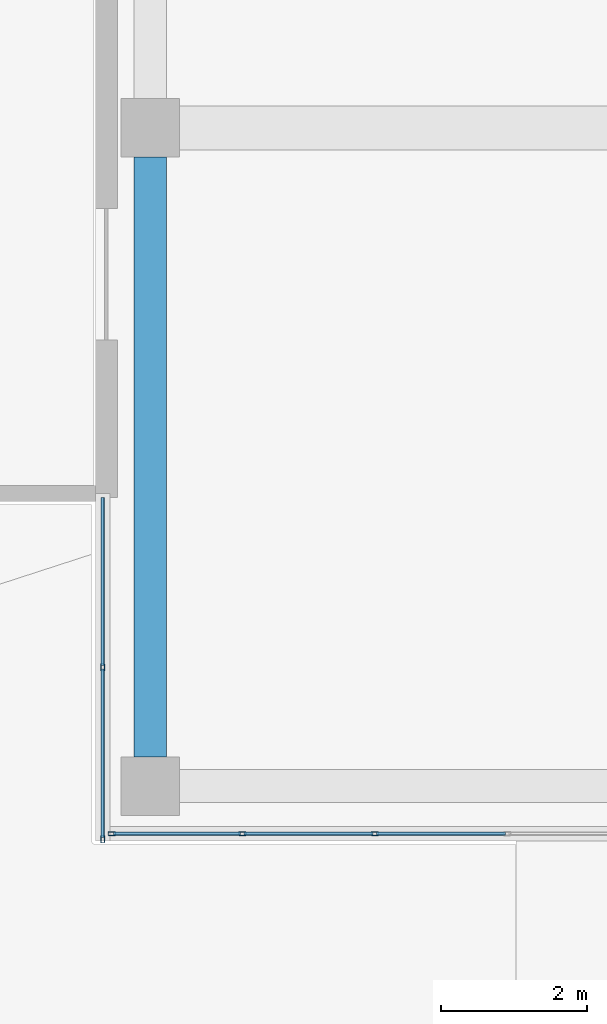
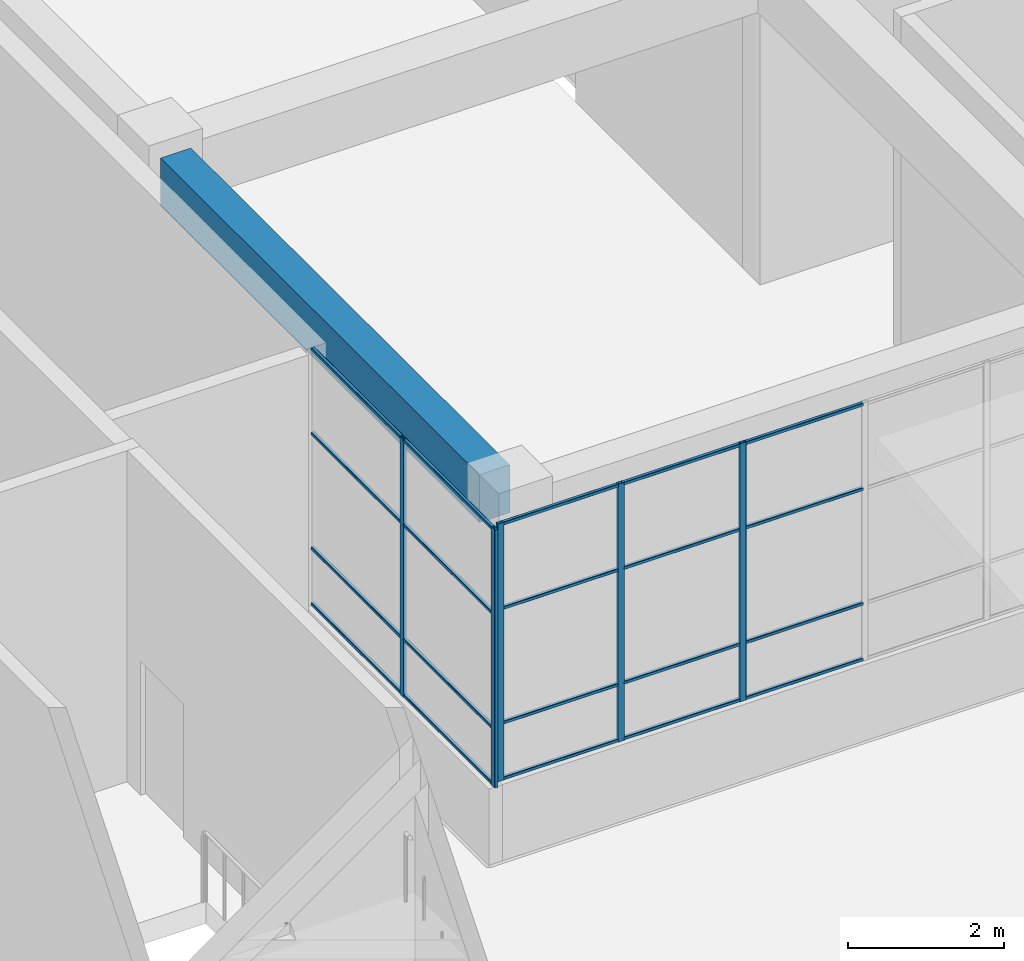
# One storey, part 16 of 72: 25 members, 1 beam, 2 elements without a shape of their own.
"""IFC4 building model written with IfcOpenShell, lengths in metres."""

from ifc_helpers import new_model, si_unit, direction, frame, origin, origin_2d, place, context, subcontext, project, spatial, rectangle, hollow_rectangle, extrude, material, layer, layer_set, material_profile, profile_set, type_object, element, aggregate, save


model = new_model("IFC4")

# Units and contexts
model_context = context("Model", 3, precision=1e-05, world=origin(), true_north=direction((0.0, 1.0)))
body_context = subcontext(model_context, "Body", "Model", "MODEL_VIEW")
ifc_project = project(units=[si_unit("LENGTHUNIT", "METRE"), si_unit("AREAUNIT", "SQUARE_METRE"), si_unit("VOLUMEUNIT", "CUBIC_METRE"), si_unit("PLANEANGLEUNIT", "RADIAN"), si_unit("MASSUNIT", "GRAM", prefix="KILO")], contexts=[model_context])

# Site, building, storey
site_placement = place(None, origin())
site = spatial("IfcSite", under=ifc_project, at=site_placement, CompositionType="ELEMENT")
building_placement = place(site_placement, origin())
building = spatial("IfcBuilding", under=site, at=building_placement, Name="Tuart Plaza Theatre", CompositionType="ELEMENT")
storey_placement = place(building_placement, origin())
storey = spatial("IfcBuildingStorey", under=building, at=storey_placement, Name="L00", CompositionType="ELEMENT", Elevation=0.0)

# Beam
ifc_material_1 = material(Name="Concrete N40 (40 MPa)", Category="concrete")
ifc_material_profile_1 = material_profile(ifc_material_1, rectangle(XDim=0.449951171875, YDim=0.75, at=origin_2d()), Name="BEAM 450x750 Concrete N40 (40 MPa)")
ifc_profile_set_1 = profile_set([ifc_material_profile_1], Name="Concrete N40 (40 MPa)")
beam_type = type_object("IfcBeamType", Name="BEAM 450x750 Concrete N40 (40 MPa)", PredefinedType="BEAM", material=ifc_profile_set_1)
beam_placement = place(storey_placement, frame((114.0, 56.39990234375, 4.875), z_axis=(0.0, 1.0, 0.0), x_axis=(-1.0, 0.0, 0.0)))
element("IfcBeam", 1, at=beam_placement, inside=storey, type_object=beam_type, Name="RB122", PredefinedType="BEAM", context=body_context, shape_type="SweptSolid", body=[
    extrude(rectangle(XDim=0.449951171875, YDim=0.75, at=origin_2d()), origin(), (0.0, 0.0, 1.0), 8.2001953125),
])

# Curtain wall, members
ifc_material_2 = material(Name="Aluminium and glass", Category="aluminium")
ifc_layer_1 = layer(ifc_material_2, 0.10009765625)
ifc_layer_set_1 = layer_set([ifc_layer_1], Name="CURTAIN WALL 2000 module")
curtain_wall_type_1 = type_object("IfcCurtainWallType", Name="CURTAIN WALL 2000 module", PredefinedType="NOTDEFINED", material=ifc_layer_set_1)
curtain_wall_1_placement = place(storey_placement, origin())
curtain_wall_1 = element("IfcCurtainWall", 2, at=curtain_wall_1_placement, inside=storey, type_object=curtain_wall_type_1, Name="CW59", PredefinedType="NOTDEFINED")
ifc_material_3 = material(Name="Aluminium 6063-T5", Category="aluminium")
ifc_material_profile_2 = material_profile(ifc_material_3, hollow_rectangle(XDim=0.050048828125, YDim=0.10009765625, WallThickness=0.00390625, InnerFilletRadius=0.00390625, OuterFilletRadius=0.008056640625, at=origin_2d()), Name="RHS 100x50x4")
ifc_profile_set_2 = profile_set([ifc_material_profile_2], Name="Aluminium 6063-T5")
member_type_1 = type_object("IfcMemberType", Name="MULLION RHS 100x50x4", PredefinedType="MULLION", material=ifc_profile_set_2)
member_1_placement = place(storey_placement, frame((113.35009765625, 57.625, 1.199951171875), z_axis=(0.0, 0.0, 1.0), x_axis=(1.0, 0.0, 0.0)))
member_1 = element("IfcMember", 3, at=member_1_placement, type_object=member_type_1, Name="CW59 mullion 2", PredefinedType="MULLION", context=body_context, shape_type="SweptSolid", body=[
    extrude(hollow_rectangle(XDim=0.050048828125, YDim=0.10009765625, WallThickness=0.00390625, InnerFilletRadius=0.00390625, OuterFilletRadius=0.008056640625, at=origin_2d()), origin(), (0.0, 0.0, 1.0), 4.050048828125),
])
member_2_placement = place(storey_placement, frame((113.35009765625, 55.27490234375, 1.199951171875), z_axis=(0.0, 0.0, 1.0), x_axis=(1.0, 0.0, 0.0)))
member_2 = element("IfcMember", 4, at=member_2_placement, type_object=member_type_1, Name="CW59 mullion 3", PredefinedType="MULLION", context=body_context, shape_type="SweptSolid", body=[
    extrude(hollow_rectangle(XDim=0.050048828125, YDim=0.10009765625, WallThickness=0.00390625, InnerFilletRadius=0.00390625, OuterFilletRadius=0.008056640625, at=origin_2d()), origin(), (0.0, 0.0, 1.0), 4.050048828125),
])

ifc_material_4 = material(Name="Aluminium and glass", Category="aluminium")
ifc_layer_2 = layer(ifc_material_4, 0.10009765625)
ifc_layer_set_2 = layer_set([ifc_layer_2], Name="CURTAIN WALL 1800 module")
curtain_wall_type_2 = type_object("IfcCurtainWallType", Name="CURTAIN WALL 1800 module", PredefinedType="NOTDEFINED", material=ifc_layer_set_2)
curtain_wall_2_placement = place(storey_placement, origin())
curtain_wall_2 = element("IfcCurtainWall", 5, at=curtain_wall_2_placement, inside=storey, type_object=curtain_wall_type_2, Name="CW60", PredefinedType="NOTDEFINED")
member_3_placement = place(storey_placement, frame((113.47509765625, 55.35009765625, 1.199951171875), z_axis=(0.0, 0.0, 1.0), x_axis=(0.0, 1.0, 0.0)))
member_3 = element("IfcMember", 6, at=member_3_placement, type_object=member_type_1, Name="CW60 mullion 1", PredefinedType="MULLION", context=body_context, shape_type="SweptSolid", body=[
    extrude(hollow_rectangle(XDim=0.050048828125, YDim=0.10009765625, WallThickness=0.00390625, InnerFilletRadius=0.00390625, OuterFilletRadius=0.008056640625, at=origin_2d()), origin(), (0.0, 0.0, 1.0), 4.050048828125),
])
member_4_placement = place(storey_placement, frame((115.260009765625, 55.35009765625, 1.199951171875), z_axis=(0.0, 0.0, 1.0), x_axis=(0.0, 1.0, 0.0)))
member_4 = element("IfcMember", 7, at=member_4_placement, type_object=member_type_1, Name="CW60 mullion 2", PredefinedType="MULLION", context=body_context, shape_type="SweptSolid", body=[
    extrude(hollow_rectangle(XDim=0.050048828125, YDim=0.10009765625, WallThickness=0.00390625, InnerFilletRadius=0.00390625, OuterFilletRadius=0.008056640625, at=origin_2d()), origin(), (0.0, 0.0, 1.0), 4.050048828125),
])
member_5_placement = place(storey_placement, frame((117.070068359375, 55.35009765625, 1.199951171875), z_axis=(0.0, 0.0, 1.0), x_axis=(0.0, 1.0, 0.0)))
member_5 = element("IfcMember", 8, at=member_5_placement, type_object=member_type_1, Name="CW60 mullion 3", PredefinedType="MULLION", context=body_context, shape_type="SweptSolid", body=[
    extrude(hollow_rectangle(XDim=0.050048828125, YDim=0.10009765625, WallThickness=0.00390625, InnerFilletRadius=0.00390625, OuterFilletRadius=0.008056640625, at=origin_2d()), origin(), (0.0, 0.0, 1.0), 4.050048828125),
])

# Member
ifc_material_5 = material(Name="Aluminium 6063-T5", Category="aluminium")
ifc_material_profile_3 = material_profile(ifc_material_5, hollow_rectangle(XDim=0.050048828125, YDim=0.050048828125, WallThickness=0.00390625, InnerFilletRadius=0.00390625, OuterFilletRadius=0.008056640625, at=origin_2d()), Name="RHS 50x50x4")
ifc_profile_set_3 = profile_set([ifc_material_profile_3], Name="Aluminium 6063-T5")
member_type_2 = type_object("IfcMemberType", Name="TRANSOM RHS 50x50x4", PredefinedType="USERDEFINED", material=ifc_profile_set_3)
member_6_placement = place(storey_placement, frame((113.35009765625, 59.949951171875, 1.22509765625), z_axis=(0.0, -1.0, 0.0), x_axis=(1.0, 0.0, 0.0)))
member_6 = element("IfcMember", 9, at=member_6_placement, type_object=member_type_2, Name="CW59 transom 1.1", ObjectType="TRANSOM", PredefinedType="USERDEFINED", context=body_context, shape_type="SweptSolid", body=[
    extrude(hollow_rectangle(XDim=0.050048828125, YDim=0.050048828125, WallThickness=0.00390625, InnerFilletRadius=0.00390625, OuterFilletRadius=0.008056640625, at=origin_2d()), origin(), (0.0, 0.0, 1.0), 2.300048828125),
])

member_7_placement = place(storey_placement, frame((113.35009765625, 59.949951171875, 2.10009765625), z_axis=(0.0, -1.0, 0.0), x_axis=(1.0, 0.0, 0.0)))
member_7 = element("IfcMember", 10, at=member_7_placement, type_object=member_type_2, Name="CW59 transom 1.2", ObjectType="TRANSOM", PredefinedType="USERDEFINED", context=body_context, shape_type="SweptSolid", body=[
    extrude(hollow_rectangle(XDim=0.050048828125, YDim=0.050048828125, WallThickness=0.00390625, InnerFilletRadius=0.00390625, OuterFilletRadius=0.008056640625, at=origin_2d()), origin(), (0.0, 0.0, 1.0), 2.300048828125),
])

member_8_placement = place(storey_placement, frame((113.35009765625, 59.949951171875, 3.89990234375), z_axis=(0.0, -1.0, 0.0), x_axis=(1.0, 0.0, 0.0)))
member_8 = element("IfcMember", 11, at=member_8_placement, type_object=member_type_2, Name="CW59 transom 1.3", ObjectType="TRANSOM", PredefinedType="USERDEFINED", context=body_context, shape_type="SweptSolid", body=[
    extrude(hollow_rectangle(XDim=0.050048828125, YDim=0.050048828125, WallThickness=0.00390625, InnerFilletRadius=0.00390625, OuterFilletRadius=0.008056640625, at=origin_2d()), origin(), (0.0, 0.0, 1.0), 2.300048828125),
])

member_9_placement = place(storey_placement, frame((113.35009765625, 59.949951171875, 5.22509765625), z_axis=(0.0, -1.0, 0.0), x_axis=(1.0, 0.0, 0.0)))
member_9 = element("IfcMember", 12, at=member_9_placement, type_object=member_type_2, Name="CW59 transom 1.4", ObjectType="TRANSOM", PredefinedType="USERDEFINED", context=body_context, shape_type="SweptSolid", body=[
    extrude(hollow_rectangle(XDim=0.050048828125, YDim=0.050048828125, WallThickness=0.00390625, InnerFilletRadius=0.00390625, OuterFilletRadius=0.008056640625, at=origin_2d()), origin(), (0.0, 0.0, 1.0), 2.300048828125),
])

member_10_placement = place(storey_placement, frame((113.35009765625, 57.60009765625, 1.22509765625), z_axis=(0.0, -1.0, 0.0), x_axis=(1.0, 0.0, 0.0)))
member_10 = element("IfcMember", 13, at=member_10_placement, type_object=member_type_2, Name="CW59 transom 2.1", ObjectType="TRANSOM", PredefinedType="USERDEFINED", context=body_context, shape_type="SweptSolid", body=[
    extrude(hollow_rectangle(XDim=0.050048828125, YDim=0.050048828125, WallThickness=0.00390625, InnerFilletRadius=0.00390625, OuterFilletRadius=0.008056640625, at=origin_2d()), origin(), (0.0, 0.0, 1.0), 2.300048828125),
])

member_11_placement = place(storey_placement, frame((113.35009765625, 57.60009765625, 2.10009765625), z_axis=(0.0, -1.0, 0.0), x_axis=(1.0, 0.0, 0.0)))
member_11 = element("IfcMember", 14, at=member_11_placement, type_object=member_type_2, Name="CW59 transom 2.2", ObjectType="TRANSOM", PredefinedType="USERDEFINED", context=body_context, shape_type="SweptSolid", body=[
    extrude(hollow_rectangle(XDim=0.050048828125, YDim=0.050048828125, WallThickness=0.00390625, InnerFilletRadius=0.00390625, OuterFilletRadius=0.008056640625, at=origin_2d()), origin(), (0.0, 0.0, 1.0), 2.300048828125),
])

member_12_placement = place(storey_placement, frame((113.35009765625, 57.60009765625, 3.89990234375), z_axis=(0.0, -1.0, 0.0), x_axis=(1.0, 0.0, 0.0)))
member_12 = element("IfcMember", 15, at=member_12_placement, type_object=member_type_2, Name="CW59 transom 2.3", ObjectType="TRANSOM", PredefinedType="USERDEFINED", context=body_context, shape_type="SweptSolid", body=[
    extrude(hollow_rectangle(XDim=0.050048828125, YDim=0.050048828125, WallThickness=0.00390625, InnerFilletRadius=0.00390625, OuterFilletRadius=0.008056640625, at=origin_2d()), origin(), (0.0, 0.0, 1.0), 2.300048828125),
])

member_13_placement = place(storey_placement, frame((113.35009765625, 57.60009765625, 5.22509765625), z_axis=(0.0, -1.0, 0.0), x_axis=(1.0, 0.0, 0.0)))
member_13 = element("IfcMember", 16, at=member_13_placement, type_object=member_type_2, Name="CW59 transom 2.4", ObjectType="TRANSOM", PredefinedType="USERDEFINED", context=body_context, shape_type="SweptSolid", body=[
    extrude(hollow_rectangle(XDim=0.050048828125, YDim=0.050048828125, WallThickness=0.00390625, InnerFilletRadius=0.00390625, OuterFilletRadius=0.008056640625, at=origin_2d()), origin(), (0.0, 0.0, 1.0), 2.300048828125),
])

aggregate(curtain_wall_1, [member_1, member_2, member_6, member_7, member_8, member_9, member_10, member_11, member_12, member_13])

member_14_placement = place(storey_placement, frame((113.5, 55.35009765625, 1.22509765625), z_axis=(1.0, 0.0, 0.0), x_axis=(0.0, 1.0, 0.0)))
member_14 = element("IfcMember", 17, at=member_14_placement, type_object=member_type_2, Name="CW60 transom 1.1", ObjectType="TRANSOM", PredefinedType="USERDEFINED", context=body_context, shape_type="SweptSolid", body=[
    extrude(hollow_rectangle(XDim=0.050048828125, YDim=0.050048828125, WallThickness=0.00390625, InnerFilletRadius=0.00390625, OuterFilletRadius=0.008056640625, at=origin_2d()), origin(), (0.0, 0.0, 1.0), 1.735107421875),
])

member_15_placement = place(storey_placement, frame((113.5, 55.35009765625, 2.10009765625), z_axis=(1.0, 0.0, 0.0), x_axis=(0.0, 1.0, 0.0)))
member_15 = element("IfcMember", 18, at=member_15_placement, type_object=member_type_2, Name="CW60 transom 1.2", ObjectType="TRANSOM", PredefinedType="USERDEFINED", context=body_context, shape_type="SweptSolid", body=[
    extrude(hollow_rectangle(XDim=0.050048828125, YDim=0.050048828125, WallThickness=0.00390625, InnerFilletRadius=0.00390625, OuterFilletRadius=0.008056640625, at=origin_2d()), origin(), (0.0, 0.0, 1.0), 1.735107421875),
])

member_16_placement = place(storey_placement, frame((113.5, 55.35009765625, 3.89990234375), z_axis=(1.0, 0.0, 0.0), x_axis=(0.0, 1.0, 0.0)))
member_16 = element("IfcMember", 19, at=member_16_placement, type_object=member_type_2, Name="CW60 transom 1.3", ObjectType="TRANSOM", PredefinedType="USERDEFINED", context=body_context, shape_type="SweptSolid", body=[
    extrude(hollow_rectangle(XDim=0.050048828125, YDim=0.050048828125, WallThickness=0.00390625, InnerFilletRadius=0.00390625, OuterFilletRadius=0.008056640625, at=origin_2d()), origin(), (0.0, 0.0, 1.0), 1.735107421875),
])

member_17_placement = place(storey_placement, frame((113.5, 55.35009765625, 5.22509765625), z_axis=(1.0, 0.0, 0.0), x_axis=(0.0, 1.0, 0.0)))
member_17 = element("IfcMember", 20, at=member_17_placement, type_object=member_type_2, Name="CW60 transom 1.4", ObjectType="TRANSOM", PredefinedType="USERDEFINED", context=body_context, shape_type="SweptSolid", body=[
    extrude(hollow_rectangle(XDim=0.050048828125, YDim=0.050048828125, WallThickness=0.00390625, InnerFilletRadius=0.00390625, OuterFilletRadius=0.008056640625, at=origin_2d()), origin(), (0.0, 0.0, 1.0), 1.735107421875),
])

member_18_placement = place(storey_placement, frame((115.284912109375, 55.35009765625, 1.22509765625), z_axis=(1.0, 0.0, 0.0), x_axis=(0.0, 1.0, 0.0)))
member_18 = element("IfcMember", 21, at=member_18_placement, type_object=member_type_2, Name="CW60 transom 2.1", ObjectType="TRANSOM", PredefinedType="USERDEFINED", context=body_context, shape_type="SweptSolid", body=[
    extrude(hollow_rectangle(XDim=0.050048828125, YDim=0.050048828125, WallThickness=0.00390625, InnerFilletRadius=0.00390625, OuterFilletRadius=0.008056640625, at=origin_2d()), origin(), (0.0, 0.0, 1.0), 1.760009765625),
])

member_19_placement = place(storey_placement, frame((115.284912109375, 55.35009765625, 2.10009765625), z_axis=(1.0, 0.0, 0.0), x_axis=(0.0, 1.0, 0.0)))
member_19 = element("IfcMember", 22, at=member_19_placement, type_object=member_type_2, Name="CW60 transom 2.2", ObjectType="TRANSOM", PredefinedType="USERDEFINED", context=body_context, shape_type="SweptSolid", body=[
    extrude(hollow_rectangle(XDim=0.050048828125, YDim=0.050048828125, WallThickness=0.00390625, InnerFilletRadius=0.00390625, OuterFilletRadius=0.008056640625, at=origin_2d()), origin(), (0.0, 0.0, 1.0), 1.760009765625),
])

member_20_placement = place(storey_placement, frame((115.284912109375, 55.35009765625, 3.89990234375), z_axis=(1.0, 0.0, 0.0), x_axis=(0.0, 1.0, 0.0)))
member_20 = element("IfcMember", 23, at=member_20_placement, type_object=member_type_2, Name="CW60 transom 2.3", ObjectType="TRANSOM", PredefinedType="USERDEFINED", context=body_context, shape_type="SweptSolid", body=[
    extrude(hollow_rectangle(XDim=0.050048828125, YDim=0.050048828125, WallThickness=0.00390625, InnerFilletRadius=0.00390625, OuterFilletRadius=0.008056640625, at=origin_2d()), origin(), (0.0, 0.0, 1.0), 1.760009765625),
])

member_21_placement = place(storey_placement, frame((115.284912109375, 55.35009765625, 5.22509765625), z_axis=(1.0, 0.0, 0.0), x_axis=(0.0, 1.0, 0.0)))
member_21 = element("IfcMember", 24, at=member_21_placement, type_object=member_type_2, Name="CW60 transom 2.4", ObjectType="TRANSOM", PredefinedType="USERDEFINED", context=body_context, shape_type="SweptSolid", body=[
    extrude(hollow_rectangle(XDim=0.050048828125, YDim=0.050048828125, WallThickness=0.00390625, InnerFilletRadius=0.00390625, OuterFilletRadius=0.008056640625, at=origin_2d()), origin(), (0.0, 0.0, 1.0), 1.760009765625),
])

member_22_placement = place(storey_placement, frame((117.094970703125, 55.35009765625, 1.22509765625), z_axis=(1.0, 0.0, 0.0), x_axis=(0.0, 1.0, 0.0)))
member_22 = element("IfcMember", 25, at=member_22_placement, type_object=member_type_2, Name="CW60 transom 3.1", ObjectType="TRANSOM", PredefinedType="USERDEFINED", context=body_context, shape_type="SweptSolid", body=[
    extrude(hollow_rectangle(XDim=0.050048828125, YDim=0.050048828125, WallThickness=0.00390625, InnerFilletRadius=0.00390625, OuterFilletRadius=0.008056640625, at=origin_2d()), origin(), (0.0, 0.0, 1.0), 1.760009765625),
])

member_23_placement = place(storey_placement, frame((117.094970703125, 55.35009765625, 2.10009765625), z_axis=(1.0, 0.0, 0.0), x_axis=(0.0, 1.0, 0.0)))
member_23 = element("IfcMember", 26, at=member_23_placement, type_object=member_type_2, Name="CW60 transom 3.2", ObjectType="TRANSOM", PredefinedType="USERDEFINED", context=body_context, shape_type="SweptSolid", body=[
    extrude(hollow_rectangle(XDim=0.050048828125, YDim=0.050048828125, WallThickness=0.00390625, InnerFilletRadius=0.00390625, OuterFilletRadius=0.008056640625, at=origin_2d()), origin(), (0.0, 0.0, 1.0), 1.760009765625),
])

member_24_placement = place(storey_placement, frame((117.094970703125, 55.35009765625, 3.89990234375), z_axis=(1.0, 0.0, 0.0), x_axis=(0.0, 1.0, 0.0)))
member_24 = element("IfcMember", 27, at=member_24_placement, type_object=member_type_2, Name="CW60 transom 3.3", ObjectType="TRANSOM", PredefinedType="USERDEFINED", context=body_context, shape_type="SweptSolid", body=[
    extrude(hollow_rectangle(XDim=0.050048828125, YDim=0.050048828125, WallThickness=0.00390625, InnerFilletRadius=0.00390625, OuterFilletRadius=0.008056640625, at=origin_2d()), origin(), (0.0, 0.0, 1.0), 1.760009765625),
])

member_25_placement = place(storey_placement, frame((117.094970703125, 55.35009765625, 5.22509765625), z_axis=(1.0, 0.0, 0.0), x_axis=(0.0, 1.0, 0.0)))
member_25 = element("IfcMember", 28, at=member_25_placement, type_object=member_type_2, Name="CW60 transom 3.4", ObjectType="TRANSOM", PredefinedType="USERDEFINED", context=body_context, shape_type="SweptSolid", body=[
    extrude(hollow_rectangle(XDim=0.050048828125, YDim=0.050048828125, WallThickness=0.00390625, InnerFilletRadius=0.00390625, OuterFilletRadius=0.008056640625, at=origin_2d()), origin(), (0.0, 0.0, 1.0), 1.760009765625),
])

aggregate(curtain_wall_2, [member_3, member_4, member_5, member_14, member_15, member_16, member_17, member_18, member_19, member_20, member_21, member_22, member_23, member_24, member_25])

save(model, "model.ifc")
